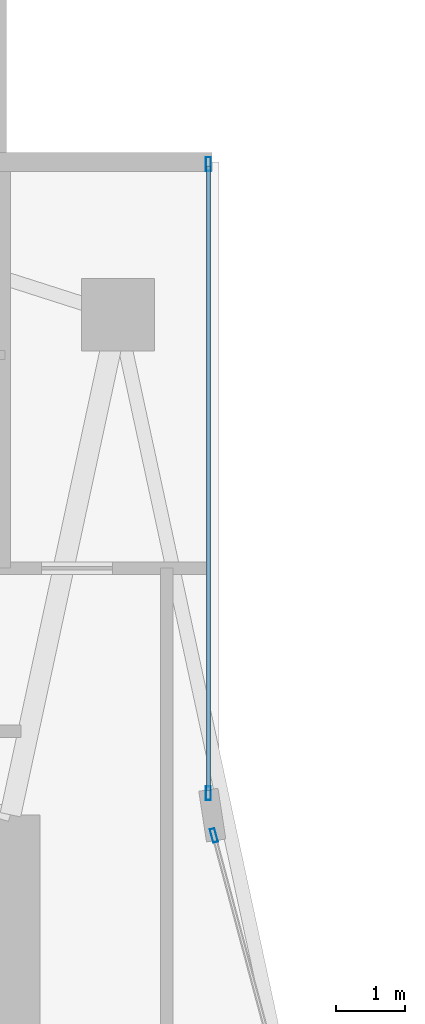
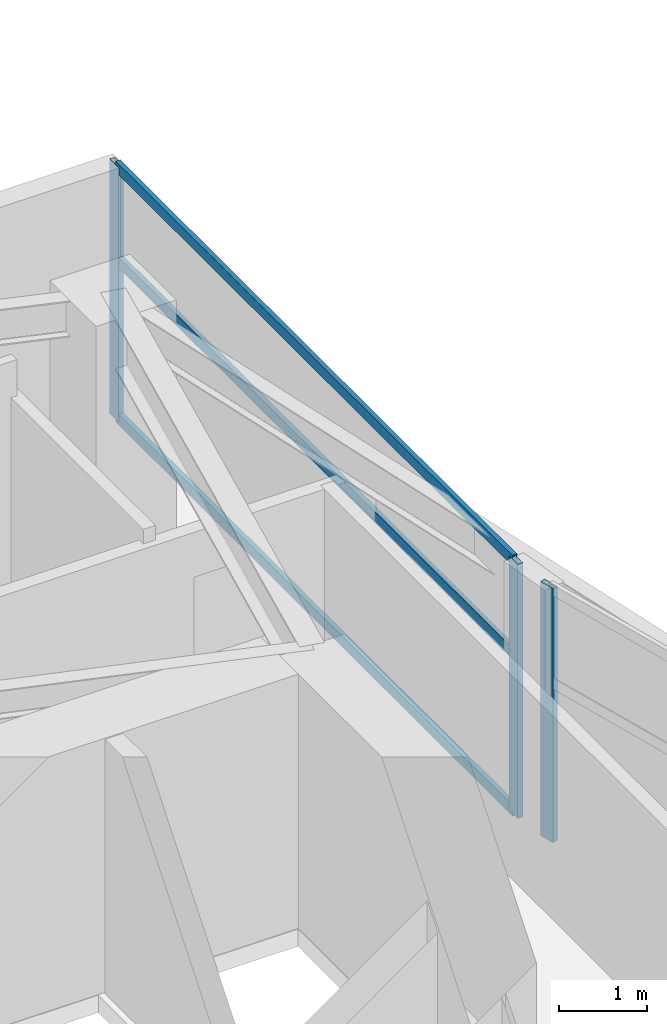
# One storey, part 18 of 28: 6 members, 2 elements without a shape of their own.
"""IFC4 building model written with IfcOpenShell, lengths in metres."""

from ifc_helpers import new_model, si_unit, direction, frame, origin, origin_2d, place, context, subcontext, project, spatial, hollow_rectangle, extrude, material, layer, layer_set, material_profile, profile_set, type_object, element, aggregate, save


model = new_model("IFC4")

# Units and contexts
model_context = context("Model", 3, precision=1e-05, world=origin(), true_north=direction((0.0, 1.0)))
body_context = subcontext(model_context, "Body", "Model", "MODEL_VIEW")
ifc_project = project(units=[si_unit("LENGTHUNIT", "METRE"), si_unit("AREAUNIT", "SQUARE_METRE"), si_unit("VOLUMEUNIT", "CUBIC_METRE"), si_unit("PLANEANGLEUNIT", "RADIAN"), si_unit("MASSUNIT", "GRAM", prefix="KILO")], contexts=[model_context])

# Site, building, storey
site_placement = place(None, origin())
site = spatial("IfcSite", under=ifc_project, at=site_placement, CompositionType="ELEMENT")
building_placement = place(site_placement, origin())
building = spatial("IfcBuilding", under=site, at=building_placement, Name="Calvorn Quay Hotel", CompositionType="ELEMENT")
storey_placement = place(building_placement, frame((0.0, 0.0, 135.39990234375)))
storey = spatial("IfcBuildingStorey", under=building, at=storey_placement, Name="L33", CompositionType="ELEMENT", Elevation=135.39990234375)

# Curtain wall, member
ifc_material_1 = material(Name="Pale Anodised Aluminium and Low-E Glass", Category="aluminium")
ifc_layer = layer(ifc_material_1, 0.219970703125)
ifc_layer_set = layer_set([ifc_layer], Name="CW-SYS-Z2")
curtain_wall_type = type_object("IfcCurtainWallType", Name="CW-SYS-Z2", PredefinedType="NOTDEFINED", material=ifc_layer_set)
curtain_wall_1_placement = place(storey_placement, origin())
curtain_wall_1 = element("IfcCurtainWall", 1, at=curtain_wall_1_placement, inside=storey, type_object=curtain_wall_type, Name="Inner Court Curtain Wall L33-IC1", PredefinedType="NOTDEFINED")
ifc_material_2 = material(Name="Pale Anodised Aluminium 6063-T6", Category="aluminium")
ifc_material_profile_1 = material_profile(ifc_material_2, hollow_rectangle(XDim=0.070068359375, YDim=0.199951171875, WallThickness=0.00390625, at=origin_2d()), Name="ALU-M200x70x4")
ifc_profile_set_1 = profile_set([ifc_material_profile_1], Name="Pale Anodised Aluminium 6063-T6")
member_type_1 = type_object("IfcMemberType", Name="CW-SYS-Z2-MUL", PredefinedType="MULLION", material=ifc_profile_set_1)
member_1_placement = place(storey_placement, frame((17.9296875, 38.10107421875, 0.0), z_axis=(0.0, 0.0, 1.0), x_axis=(-0.96593652056, -0.25877913024, 0.0)))
member_1 = element("IfcMember", 2, at=member_1_placement, type_object=member_type_1, Name="CW-L33-IC1 mullion 2", PredefinedType="MULLION", context=body_context, shape_type="SweptSolid", body=[
    extrude(hollow_rectangle(XDim=0.070068359375, YDim=0.199951171875, WallThickness=0.00390625, at=origin_2d()), origin(), (0.0, 0.0, 1.0), 3.52001953125),
])
aggregate(curtain_wall_1, [member_1])

# Curtain wall, members
curtain_wall_2_placement = place(storey_placement, origin())
curtain_wall_2 = element("IfcCurtainWall", 3, at=curtain_wall_2_placement, inside=storey, type_object=curtain_wall_type, Name="Inner Court Curtain Wall L33-IC2", PredefinedType="NOTDEFINED")
member_2_placement = place(storey_placement, frame((17.85009765625, 38.7099609375, 0.0), z_axis=(0.0, 0.0, 1.0), x_axis=(-1.0, 0.0, 0.0)))
member_2 = element("IfcMember", 4, at=member_2_placement, type_object=member_type_1, Name="CW-L33-IC2 mullion 1", PredefinedType="MULLION", context=body_context, shape_type="SweptSolid", body=[
    extrude(hollow_rectangle(XDim=0.070068359375, YDim=0.199951171875, WallThickness=0.00390625, at=origin_2d()), origin(), (0.0, 0.0, 1.0), 3.52001953125),
])
member_3_placement = place(storey_placement, frame((17.85009765625, 47.77001953125, 0.0), z_axis=(0.0, 0.0, 1.0), x_axis=(-1.0, 0.0, 0.0)))
member_3 = element("IfcMember", 5, at=member_3_placement, type_object=member_type_1, Name="CW-L33-IC2 mullion 2", PredefinedType="MULLION", context=body_context, shape_type="SweptSolid", body=[
    extrude(hollow_rectangle(XDim=0.070068359375, YDim=0.199951171875, WallThickness=0.00390625, at=origin_2d()), origin(), (0.0, 0.0, 1.0), 3.52001953125),
])
ifc_material_3 = material(Name="Pale Anodised Aluminium 6063-T6", Category="aluminium")
ifc_material_profile_2 = material_profile(ifc_material_3, hollow_rectangle(XDim=0.06005859375, YDim=0.14990234375, WallThickness=0.00341796875, at=origin_2d()), Name="ALU-T150x60x3.5")
ifc_profile_set_2 = profile_set([ifc_material_profile_2], Name="Pale Anodised Aluminium 6063-T6")
member_type_2 = type_object("IfcMemberType", Name="CW-SYS-Z2-TRN", PredefinedType="USERDEFINED", material=ifc_profile_set_2)
member_4_placement = place(storey_placement, frame((17.85009765625, 38.739990234375, 0.030029296875), z_axis=(0.0, 1.0, 0.0), x_axis=(-1.0, 0.0, 0.0)))
member_4 = element("IfcMember", 6, at=member_4_placement, type_object=member_type_2, Name="CW-L33-IC2 transom 1.1", ObjectType="TRANSOM", PredefinedType="USERDEFINED", context=body_context, shape_type="SweptSolid", body=[
    extrude(hollow_rectangle(XDim=0.06005859375, YDim=0.14990234375, WallThickness=0.00341796875, at=origin_2d()), origin(), (0.0, 0.0, 1.0), 9.0),
])
member_5_placement = place(storey_placement, frame((17.85009765625, 38.739990234375, 2.2001953125), z_axis=(0.0, 1.0, 0.0), x_axis=(-1.0, 0.0, 0.0)))
member_5 = element("IfcMember", 7, at=member_5_placement, type_object=member_type_2, Name="CW-L33-IC2 transom 1.2", ObjectType="TRANSOM", PredefinedType="USERDEFINED", context=body_context, shape_type="SweptSolid", body=[
    extrude(hollow_rectangle(XDim=0.06005859375, YDim=0.14990234375, WallThickness=0.00341796875, at=origin_2d()), origin(), (0.0, 0.0, 1.0), 9.0),
])
member_6_placement = place(storey_placement, frame((17.85009765625, 38.739990234375, 3.489990234375), z_axis=(0.0, 1.0, 0.0), x_axis=(-1.0, 0.0, 0.0)))
member_6 = element("IfcMember", 8, at=member_6_placement, type_object=member_type_2, Name="CW-L33-IC2 transom 1.3", ObjectType="TRANSOM", PredefinedType="USERDEFINED", context=body_context, shape_type="SweptSolid", body=[
    extrude(hollow_rectangle(XDim=0.06005859375, YDim=0.14990234375, WallThickness=0.00341796875, at=origin_2d()), origin(), (0.0, 0.0, 1.0), 9.0),
])
aggregate(curtain_wall_2, [member_2, member_3, member_4, member_5, member_6])

save(model, "model.ifc")
